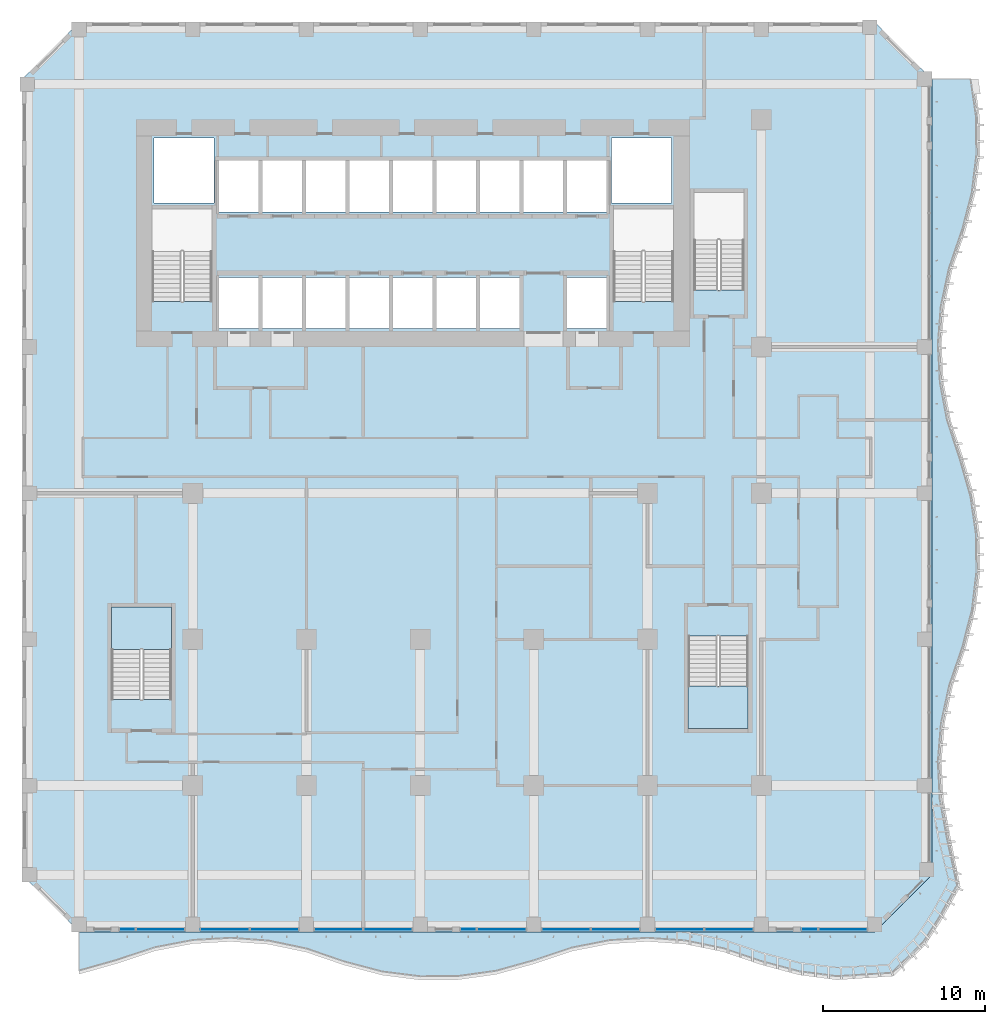
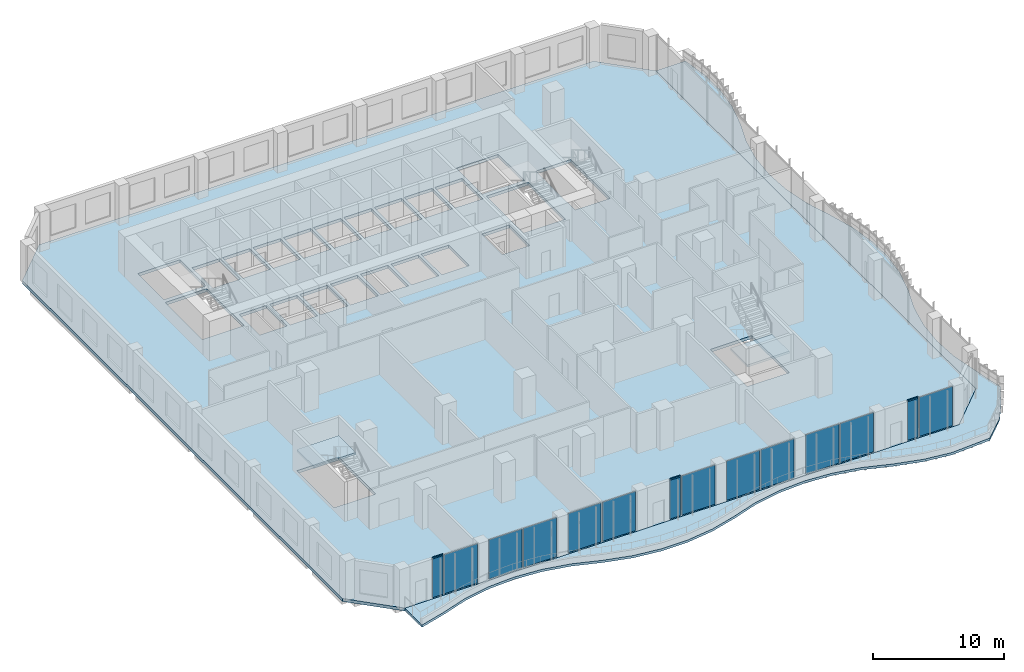
# One storey, part 11 of 28: 14 plates, 4 slabs, 3 members, 16 elements without a shape of their own.
"""IFC4 building model written with IfcOpenShell, lengths in metres."""

from ifc_helpers import new_model, si_unit, direction, frame, origin, origin_2d, place, context, subcontext, project, spatial, polyline, rectangle, outline, extrude, source, transform, mapped, material, layer, layer_set, material_profile, profile_set, type_object, element, aggregate, save


model = new_model("IFC4")

# Units and contexts
model_context = context("Model", 3, precision=1e-05, world=origin(), true_north=direction((0.0, 1.0)))
body_context = subcontext(model_context, "Body", "Model", "MODEL_VIEW")
ifc_project = project(units=[si_unit("LENGTHUNIT", "METRE"), si_unit("AREAUNIT", "SQUARE_METRE"), si_unit("VOLUMEUNIT", "CUBIC_METRE"), si_unit("PLANEANGLEUNIT", "RADIAN"), si_unit("MASSUNIT", "GRAM", prefix="KILO")], contexts=[model_context])

# Site, building, storey
site_placement = place(None, origin())
site = spatial("IfcSite", under=ifc_project, at=site_placement, CompositionType="ELEMENT")
building_placement = place(site_placement, origin())
building = spatial("IfcBuilding", under=site, at=building_placement, Name="Kilnfold Tower and Market Hall", CompositionType="ELEMENT")
storey_placement = place(building_placement, frame((0.0, 0.0, 87.199951171875)))
storey = spatial("IfcBuildingStorey", under=building, at=storey_placement, Name="L20", CompositionType="ELEMENT", Elevation=87.199951171875)

# Curtain wall, member
ifc_material_1 = material(Name="Aluminium and double glazing", Category="aluminium")
curtain_wall_type = type_object("IfcCurtainWallType", Name="CW OF1 VALLEY GLAZING", PredefinedType="NOTDEFINED", material=ifc_material_1)
curtain_wall_1_placement = place(storey_placement, origin())
curtain_wall_1 = element("IfcCurtainWall", 1, at=curtain_wall_1_placement, inside=storey, type_object=curtain_wall_type, Name="Curtain wall CW1 L20 S", PredefinedType="NOTDEFINED")
ifc_material_2 = material(Name="Aluminium", Category="aluminium")
ifc_material_profile = material_profile(ifc_material_2, rectangle(XDim=0.06005859375, YDim=0.139892578125, at=origin_2d()), Name="TRANSOM 60x140")
ifc_profile_set = profile_set([ifc_material_profile], Name="Aluminium")
member_type = type_object("IfcMemberType", Name="TRANSOM 60X140", PredefinedType="USERDEFINED", material=ifc_profile_set)
shared_shape_1 = source(origin(), body_context, "Body", "SweptSolid", [
    extrude(rectangle(XDim=0.06005859375, YDim=0.139892578125, at=origin_2d()), origin(), (0.0, 0.0, 1.0), 0.929931640625),
])
member_1_placement = place(storey_placement, frame((-16.989990234375, -27.85009765625, 3.68994140625), z_axis=(1.0, 0.0, 0.0), x_axis=(0.0, 1.0, 0.0)))
member_1 = element("IfcMember", 2, at=member_1_placement, type_object=member_type, Name="CW1 transom 1.2", ObjectType="TRANSOM", PredefinedType="USERDEFINED", context=body_context, shape_type="MappedRepresentation", body=[
    mapped(shared_shape_1, transform((0.0, 0.0, 0.0))),
])

curtain_wall_2_placement = place(storey_placement, origin())
curtain_wall_2 = element("IfcCurtainWall", 3, at=curtain_wall_2_placement, inside=storey, type_object=curtain_wall_type, Name="Curtain wall CW1 L20 S", PredefinedType="NOTDEFINED")
member_2_placement = place(storey_placement, frame((4.010009765625, -27.85009765625, 3.68994140625), z_axis=(1.0, 0.0, 0.0), x_axis=(0.0, 1.0, 0.0)))
member_2 = element("IfcMember", 4, at=member_2_placement, type_object=member_type, Name="CW1 transom 1.2", ObjectType="TRANSOM", PredefinedType="USERDEFINED", context=body_context, shape_type="MappedRepresentation", body=[
    mapped(shared_shape_1, transform((0.0, 0.0, 0.0))),
])

curtain_wall_3_placement = place(storey_placement, origin())
curtain_wall_3 = element("IfcCurtainWall", 5, at=curtain_wall_3_placement, inside=storey, type_object=curtain_wall_type, Name="Curtain wall CW1 L20 S", PredefinedType="NOTDEFINED")
member_3_placement = place(storey_placement, frame((25.010009765625, -27.85009765625, 3.68994140625), z_axis=(1.0, 0.0, 0.0), x_axis=(0.0, 1.0, 0.0)))
member_3 = element("IfcMember", 6, at=member_3_placement, type_object=member_type, Name="CW1 transom 1.2", ObjectType="TRANSOM", PredefinedType="USERDEFINED", context=body_context, shape_type="MappedRepresentation", body=[
    mapped(shared_shape_1, transform((0.0, 0.0, 0.0))),
])

# Slab
ifc_material_3 = material(Name="Concrete C45", Category="concrete")
ifc_layer_1 = layer(ifc_material_3, 0.280029296875)
ifc_layer_set_1 = layer_set([ifc_layer_1], Name="Concrete C45")
slab_type_1 = type_object("IfcSlabType", Name="FLOOR SLAB 280", PredefinedType="FLOOR", material=ifc_layer_set_1)
shared_shape_2 = source(origin(), body_context, "Body", "SweptSolid", [
    extrude(outline(polyline([(-19.5, -28.0), (29.5, -28.0), (33.0, -24.5), (33.0, 24.5), (29.5, 28.0), (-19.5, 28.0), (-23.0, 24.5), (-23.0, -24.5), (-19.5, -28.0)]), holes=[polyline([(-13.800537109375, -13.699462890625), (-17.49951171875, -13.699462890625), (-17.49951171875, -8.00048828125), (-13.800537109375, -8.00048828125), (-13.800537109375, -13.699462890625)]), polyline([(-14.99951171875, 10.800537109375), (-14.99951171875, 16.49951171875), (-11.300537109375, 16.49951171875), (-11.300537109375, 10.800537109375), (-14.99951171875, 10.800537109375)]), polyline([(-14.875, 16.875), (-14.875, 20.875), (-11.175048828125, 20.875), (-11.175048828125, 16.875), (-14.875, 16.875)]), polyline([(-10.885009765625, 9.125), (-10.885009765625, 12.27490234375), (-8.455078125, 12.27490234375), (-8.455078125, 9.125), (-10.885009765625, 9.125)]), polyline([(-8.455078125, 16.324951171875), (-10.885009765625, 16.324951171875), (-10.885009765625, 19.47509765625), (-8.455078125, 19.47509765625), (-8.455078125, 16.324951171875)]), polyline([(-8.205078125, 9.125), (-8.205078125, 12.27490234375), (-5.77490234375, 12.27490234375), (-5.77490234375, 9.125), (-8.205078125, 9.125)]), polyline([(-8.205078125, 16.324951171875), (-8.205078125, 19.47509765625), (-5.77490234375, 19.47509765625), (-5.77490234375, 16.324951171875), (-8.205078125, 16.324951171875)]), polyline([(-3.094970703125, 9.125), (-5.52490234375, 9.125), (-5.52490234375, 12.27490234375), (-3.094970703125, 12.27490234375), (-3.094970703125, 9.125)]), polyline([(-5.52490234375, 16.324951171875), (-5.52490234375, 19.47509765625), (-3.094970703125, 19.47509765625), (-3.094970703125, 16.324951171875), (-5.52490234375, 16.324951171875)]), polyline([(-2.844970703125, 9.125), (-2.844970703125, 12.27490234375), (-0.4150390625, 12.27490234375), (-0.4150390625, 9.125), (-2.844970703125, 9.125)]), polyline([(-0.4150390625, 16.324951171875), (-2.844970703125, 16.324951171875), (-2.844970703125, 19.47509765625), (-0.4150390625, 19.47509765625), (-0.4150390625, 16.324951171875)]), polyline([(-0.1650390625, 9.125), (-0.1650390625, 12.27490234375), (2.264892578125, 12.27490234375), (2.264892578125, 9.125), (-0.1650390625, 9.125)]), polyline([(-0.1650390625, 16.324951171875), (-0.1650390625, 19.47509765625), (2.264892578125, 19.47509765625), (2.264892578125, 16.324951171875), (-0.1650390625, 16.324951171875)]), polyline([(2.514892578125, 9.125), (2.514892578125, 12.27490234375), (4.945068359375, 12.27490234375), (4.945068359375, 9.125), (2.514892578125, 9.125)]), polyline([(2.514892578125, 16.324951171875), (2.514892578125, 19.47509765625), (4.945068359375, 19.47509765625), (4.945068359375, 16.324951171875), (2.514892578125, 16.324951171875)]), polyline([(7.625, 9.125), (5.195068359375, 9.125), (5.195068359375, 12.27490234375), (7.625, 12.27490234375), (7.625, 9.125)]), polyline([(5.195068359375, 16.324951171875), (5.195068359375, 19.47509765625), (7.625, 19.47509765625), (7.625, 16.324951171875), (5.195068359375, 16.324951171875)]), polyline([(10.304931640625, 16.324951171875), (7.875, 16.324951171875), (7.875, 19.47509765625), (10.304931640625, 19.47509765625), (10.304931640625, 16.324951171875)]), polyline([(10.554931640625, 9.125), (10.554931640625, 12.27490234375), (12.985107421875, 12.27490234375), (12.985107421875, 9.125), (10.554931640625, 9.125)]), polyline([(10.554931640625, 16.324951171875), (10.554931640625, 19.47509765625), (12.985107421875, 19.47509765625), (12.985107421875, 16.324951171875), (10.554931640625, 16.324951171875)]), polyline([(13.27490234375, 16.875), (13.27490234375, 20.875), (16.97509765625, 20.875), (16.97509765625, 16.875), (13.27490234375, 16.875)]), polyline([(13.400390625, 10.800537109375), (13.400390625, 16.49951171875), (17.099609375, 16.49951171875), (17.099609375, 10.800537109375), (13.400390625, 10.800537109375)]), polyline([(18.00048828125, -9.800537109375), (21.699462890625, -9.800537109375), (21.699462890625, -15.49951171875), (18.00048828125, -15.49951171875), (18.00048828125, -9.800537109375)]), polyline([(21.449462890625, 11.50048828125), (18.3505859375, 11.50048828125), (18.3505859375, 17.49951171875), (21.449462890625, 17.49951171875), (21.449462890625, 11.50048828125)])]), origin(), (0.0, 0.0, 1.0), 0.280029296875),
])
slab_1_placement = place(storey_placement, frame((0.0, 0.0, -0.280029296875)))
element("IfcSlab", 7, at=slab_1_placement, inside=storey, type_object=slab_type_1, Name="Floor slab L20", PredefinedType="FLOOR", context=body_context, shape_type="MappedRepresentation", body=[
    mapped(shared_shape_2, transform((0.0, 0.0, 0.0))),
])

# Plate
ifc_material_4 = material(Name="Double glazed unit")
ifc_layer_2 = layer(ifc_material_4, 0.031982421875)
ifc_layer_set_2 = layer_set([ifc_layer_2], Name="Double glazed unit")
plate_type = type_object("IfcPlateType", Name="GLAZING PANEL 32", PredefinedType="CURTAIN_PANEL", material=ifc_layer_set_2)
shared_shape_3 = source(origin(), body_context, "Body", "SweptSolid", [
    extrude(rectangle(XDim=0.929931640625, YDim=0.031982421875, at=origin_2d()), origin(), (0.0, 0.0, 1.0), 3.659912109375),
])
plate_1_placement = place(storey_placement, frame((-16.52490234375, -27.85009765625, 0.0), z_axis=(0.0, 0.0, 1.0), x_axis=(1.0, 0.0, 0.0)))
plate_1 = element("IfcPlate", 8, at=plate_1_placement, type_object=plate_type, Name="CW1 panel 1.1", PredefinedType="CURTAIN_PANEL", context=body_context, shape_type="MappedRepresentation", body=[
    mapped(shared_shape_3, transform((0.0, 0.0, 0.0))),
])

aggregate(curtain_wall_1, [member_1, plate_1])

plate_2_placement = place(storey_placement, frame((4.47509765625, -27.85009765625, 0.0), z_axis=(0.0, 0.0, 1.0), x_axis=(1.0, 0.0, 0.0)))
plate_2 = element("IfcPlate", 9, at=plate_2_placement, type_object=plate_type, Name="CW1 panel 1.1", PredefinedType="CURTAIN_PANEL", context=body_context, shape_type="MappedRepresentation", body=[
    mapped(shared_shape_3, transform((0.0, 0.0, 0.0))),
])

aggregate(curtain_wall_2, [member_2, plate_2])

plate_3_placement = place(storey_placement, frame((25.47509765625, -27.85009765625, 0.0), z_axis=(0.0, 0.0, 1.0), x_axis=(1.0, 0.0, 0.0)))
plate_3 = element("IfcPlate", 10, at=plate_3_placement, type_object=plate_type, Name="CW1 panel 1.1", PredefinedType="CURTAIN_PANEL", context=body_context, shape_type="MappedRepresentation", body=[
    mapped(shared_shape_3, transform((0.0, 0.0, 0.0))),
])

aggregate(curtain_wall_3, [member_3, plate_3])

# Curtain wall, plate
curtain_wall_4_placement = place(storey_placement, origin())
curtain_wall_4 = element("IfcCurtainWall", 11, at=curtain_wall_4_placement, inside=storey, type_object=curtain_wall_type, Name="Curtain wall CW1 L20 S", PredefinedType="NOTDEFINED")
shared_shape_4 = source(origin(), body_context, "Body", "SweptSolid", [
    extrude(rectangle(XDim=2.929931640625, YDim=0.031982421875, at=origin_2d()), origin(), (0.0, 0.0, 1.0), 3.659912109375),
])
plate_4_placement = place(storey_placement, frame((-14.47509765625, -27.85009765625, 0.0), z_axis=(0.0, 0.0, 1.0), x_axis=(1.0, 0.0, 0.0)))
plate_4 = element("IfcPlate", 12, at=plate_4_placement, type_object=plate_type, Name="CW1 panel 1.1", PredefinedType="CURTAIN_PANEL", context=body_context, shape_type="MappedRepresentation", body=[
    mapped(shared_shape_4, transform((0.0, 0.0, 0.0))),
])
aggregate(curtain_wall_4, [plate_4])

curtain_wall_5_placement = place(storey_placement, origin())
curtain_wall_5 = element("IfcCurtainWall", 13, at=curtain_wall_5_placement, inside=storey, type_object=curtain_wall_type, Name="Curtain wall CW1 L20 S", PredefinedType="NOTDEFINED")
plate_5_placement = place(storey_placement, frame((-10.52490234375, -27.85009765625, 0.0), z_axis=(0.0, 0.0, 1.0), x_axis=(1.0, 0.0, 0.0)))
plate_5 = element("IfcPlate", 14, at=plate_5_placement, type_object=plate_type, Name="CW1 panel 1.1", PredefinedType="CURTAIN_PANEL", context=body_context, shape_type="MappedRepresentation", body=[
    mapped(shared_shape_4, transform((0.0, 0.0, 0.0))),
])
aggregate(curtain_wall_5, [plate_5])

curtain_wall_6_placement = place(storey_placement, origin())
curtain_wall_6 = element("IfcCurtainWall", 15, at=curtain_wall_6_placement, inside=storey, type_object=curtain_wall_type, Name="Curtain wall CW1 L20 S", PredefinedType="NOTDEFINED")
plate_6_placement = place(storey_placement, frame((-7.47509765625, -27.85009765625, 0.0), z_axis=(0.0, 0.0, 1.0), x_axis=(1.0, 0.0, 0.0)))
plate_6 = element("IfcPlate", 16, at=plate_6_placement, type_object=plate_type, Name="CW1 panel 1.1", PredefinedType="CURTAIN_PANEL", context=body_context, shape_type="MappedRepresentation", body=[
    mapped(shared_shape_4, transform((0.0, 0.0, 0.0))),
])
aggregate(curtain_wall_6, [plate_6])

curtain_wall_7_placement = place(storey_placement, origin())
curtain_wall_7 = element("IfcCurtainWall", 17, at=curtain_wall_7_placement, inside=storey, type_object=curtain_wall_type, Name="Curtain wall CW1 L20 S", PredefinedType="NOTDEFINED")
plate_7_placement = place(storey_placement, frame((-3.52490234375, -27.85009765625, 0.0), z_axis=(0.0, 0.0, 1.0), x_axis=(1.0, 0.0, 0.0)))
plate_7 = element("IfcPlate", 18, at=plate_7_placement, type_object=plate_type, Name="CW1 panel 1.1", PredefinedType="CURTAIN_PANEL", context=body_context, shape_type="MappedRepresentation", body=[
    mapped(shared_shape_4, transform((0.0, 0.0, 0.0))),
])
aggregate(curtain_wall_7, [plate_7])

curtain_wall_8_placement = place(storey_placement, origin())
curtain_wall_8 = element("IfcCurtainWall", 19, at=curtain_wall_8_placement, inside=storey, type_object=curtain_wall_type, Name="Curtain wall CW1 L20 S", PredefinedType="NOTDEFINED")
plate_8_placement = place(storey_placement, frame((-0.47509765625, -27.85009765625, 0.0), z_axis=(0.0, 0.0, 1.0), x_axis=(1.0, 0.0, 0.0)))
plate_8 = element("IfcPlate", 20, at=plate_8_placement, type_object=plate_type, Name="CW1 panel 1.1", PredefinedType="CURTAIN_PANEL", context=body_context, shape_type="MappedRepresentation", body=[
    mapped(shared_shape_4, transform((0.0, 0.0, 0.0))),
])
aggregate(curtain_wall_8, [plate_8])

curtain_wall_9_placement = place(storey_placement, origin())
curtain_wall_9 = element("IfcCurtainWall", 21, at=curtain_wall_9_placement, inside=storey, type_object=curtain_wall_type, Name="Curtain wall CW1 L20 S", PredefinedType="NOTDEFINED")
plate_9_placement = place(storey_placement, frame((6.52490234375, -27.85009765625, 0.0), z_axis=(0.0, 0.0, 1.0), x_axis=(1.0, 0.0, 0.0)))
plate_9 = element("IfcPlate", 22, at=plate_9_placement, type_object=plate_type, Name="CW1 panel 1.1", PredefinedType="CURTAIN_PANEL", context=body_context, shape_type="MappedRepresentation", body=[
    mapped(shared_shape_4, transform((0.0, 0.0, 0.0))),
])
aggregate(curtain_wall_9, [plate_9])

curtain_wall_10_placement = place(storey_placement, origin())
curtain_wall_10 = element("IfcCurtainWall", 23, at=curtain_wall_10_placement, inside=storey, type_object=curtain_wall_type, Name="Curtain wall CW1 L20 S", PredefinedType="NOTDEFINED")
plate_10_placement = place(storey_placement, frame((10.47509765625, -27.85009765625, 0.0), z_axis=(0.0, 0.0, 1.0), x_axis=(1.0, 0.0, 0.0)))
plate_10 = element("IfcPlate", 24, at=plate_10_placement, type_object=plate_type, Name="CW1 panel 1.1", PredefinedType="CURTAIN_PANEL", context=body_context, shape_type="MappedRepresentation", body=[
    mapped(shared_shape_4, transform((0.0, 0.0, 0.0))),
])
aggregate(curtain_wall_10, [plate_10])

curtain_wall_11_placement = place(storey_placement, origin())
curtain_wall_11 = element("IfcCurtainWall", 25, at=curtain_wall_11_placement, inside=storey, type_object=curtain_wall_type, Name="Curtain wall CW1 L20 S", PredefinedType="NOTDEFINED")
plate_11_placement = place(storey_placement, frame((13.52490234375, -27.85009765625, 0.0), z_axis=(0.0, 0.0, 1.0), x_axis=(1.0, 0.0, 0.0)))
plate_11 = element("IfcPlate", 26, at=plate_11_placement, type_object=plate_type, Name="CW1 panel 1.1", PredefinedType="CURTAIN_PANEL", context=body_context, shape_type="MappedRepresentation", body=[
    mapped(shared_shape_4, transform((0.0, 0.0, 0.0))),
])
aggregate(curtain_wall_11, [plate_11])

curtain_wall_12_placement = place(storey_placement, origin())
curtain_wall_12 = element("IfcCurtainWall", 27, at=curtain_wall_12_placement, inside=storey, type_object=curtain_wall_type, Name="Curtain wall CW1 L20 S", PredefinedType="NOTDEFINED")
plate_12_placement = place(storey_placement, frame((17.47509765625, -27.85009765625, 0.0), z_axis=(0.0, 0.0, 1.0), x_axis=(1.0, 0.0, 0.0)))
plate_12 = element("IfcPlate", 28, at=plate_12_placement, type_object=plate_type, Name="CW1 panel 1.1", PredefinedType="CURTAIN_PANEL", context=body_context, shape_type="MappedRepresentation", body=[
    mapped(shared_shape_4, transform((0.0, 0.0, 0.0))),
])
aggregate(curtain_wall_12, [plate_12])

curtain_wall_13_placement = place(storey_placement, origin())
curtain_wall_13 = element("IfcCurtainWall", 29, at=curtain_wall_13_placement, inside=storey, type_object=curtain_wall_type, Name="Curtain wall CW1 L20 S", PredefinedType="NOTDEFINED")
plate_13_placement = place(storey_placement, frame((20.52490234375, -27.85009765625, 0.0), z_axis=(0.0, 0.0, 1.0), x_axis=(1.0, 0.0, 0.0)))
plate_13 = element("IfcPlate", 30, at=plate_13_placement, type_object=plate_type, Name="CW1 panel 1.1", PredefinedType="CURTAIN_PANEL", context=body_context, shape_type="MappedRepresentation", body=[
    mapped(shared_shape_4, transform((0.0, 0.0, 0.0))),
])
aggregate(curtain_wall_13, [plate_13])

curtain_wall_14_placement = place(storey_placement, origin())
curtain_wall_14 = element("IfcCurtainWall", 31, at=curtain_wall_14_placement, inside=storey, type_object=curtain_wall_type, Name="Curtain wall CW1 L20 S", PredefinedType="NOTDEFINED")
plate_14_placement = place(storey_placement, frame((27.52490234375, -27.85009765625, 0.0), z_axis=(0.0, 0.0, 1.0), x_axis=(1.0, 0.0, 0.0)))
plate_14 = element("IfcPlate", 32, at=plate_14_placement, type_object=plate_type, Name="CW1 panel 1.1", PredefinedType="CURTAIN_PANEL", context=body_context, shape_type="MappedRepresentation", body=[
    mapped(shared_shape_4, transform((0.0, 0.0, 0.0))),
])
aggregate(curtain_wall_14, [plate_14])

# Slab
ifc_material_5 = material(Name="Concrete C40/50", Category="concrete")
ifc_layer_3 = layer(ifc_material_5, 0.219970703125)
ifc_layer_set_3 = layer_set([ifc_layer_3], Name="Concrete C40/50")
slab_type_2 = type_object("IfcSlabType", Name="BALCONY SLAB 220", PredefinedType="FLOOR", material=ifc_layer_set_3)
shared_shape_5 = source(origin(), body_context, "Body", "SweptSolid", [
    extrude(outline(polyline([(-19.5, -28.0), (29.5, -28.0), (33.0, -24.5), (33.0, 24.5), (35.6171875, 24.5), (35.949462890625, 22.166748046875), (35.972412109375, 19.833251953125), (35.68798828125, 17.5), (35.080078125, 15.166748046875), (34.27978515625, 12.833251953125), (33.782470703125, 10.5), (33.601318359375, 8.166748046875), (33.7265625, 5.833251953125), (34.164794921875, 3.5), (34.932373046875, 1.166748046875), (35.602294921875, -1.166748046875), (35.94384765625, -3.5), (35.976318359375, -5.833251953125), (35.701171875, -8.166748046875), (35.103515625, -10.5), (34.2998046875, -12.833251953125), (33.792724609375, -15.166748046875), (33.602294921875, -17.5), (33.71826171875, -19.833251953125), (34.146728515625, -22.166748046875), (34.761474609375, -25.2294921875), (33.546630859375, -27.3798828125), (32.6259765625, -28.79248046875), (30.632568359375, -30.734130859375), (27.166748046875, -30.964111328125), (24.833251953125, -30.660400390625), (22.5, -30.031982421875), (20.166748046875, -29.239990234375), (17.833251953125, -28.7626953125), (15.5, -28.60009765625), (13.166748046875, -28.743896484375), (10.833251953125, -29.201904296875), (8.5, -29.98291015625), (6.166748046875, -30.632080078125), (3.833251953125, -30.95458984375), (1.5, -30.968505859375), (-0.833251953125, -30.67431640625), (-3.166748046875, -30.05615234375), (-5.5, -29.259765625), (-7.833251953125, -28.7724609375), (-10.166748046875, -28.6005859375), (-12.5, -28.735107421875), (-14.833251953125, -29.18310546875), (-17.166748046875, -29.957763671875), (-19.5, -30.6171875), (-19.5, -28.0)])), origin(), (0.0, 0.0, 1.0), 0.219970703125),
])
slab_2_placement = place(storey_placement, frame((0.0, 0.0, -0.219970703125)))
element("IfcSlab", 33, at=slab_2_placement, inside=storey, type_object=slab_type_2, Name="Balcony slab L20", PredefinedType="FLOOR", context=body_context, shape_type="MappedRepresentation", body=[
    mapped(shared_shape_5, transform((0.0, 0.0, 0.0))),
])

# Stair, slab
ifc_material_6 = material(Name="Concrete C40/50", Category="concrete")
stair_type = type_object("IfcStairType", Name="CORE STAIR 1800", PredefinedType="HALF_TURN_STAIR", material=ifc_material_6)
stair_1_placement = place(storey_placement, origin())
stair_1 = element("IfcStair", 34, at=stair_1_placement, inside=storey, type_object=stair_type, Name="L20 ST3", PredefinedType="HALF_TURN_STAIR")
ifc_material_7 = material(Name="Concrete C40/50", Category="concrete")
ifc_layer_4 = layer(ifc_material_7, 0.199951171875)
ifc_layer_set_4 = layer_set([ifc_layer_4], Name="Concrete C40/50")
slab_type_3 = type_object("IfcSlabType", Name="CORE STAIR LANDING 200", PredefinedType="LANDING", material=ifc_layer_set_4)
shared_shape_6 = source(origin(), body_context, "Body", "SweptSolid", [
    extrude(outline(polyline([(-13.800048828125, -10.6201171875), (-13.800048828125, -8.0), (-17.5, -8.0), (-17.5, -10.6201171875), (-13.800048828125, -10.6201171875)])), origin(), (0.0, 0.0, 1.0), 0.199951171875),
])
slab_3_placement = place(storey_placement, frame((0.0, 0.0, 1.800048828125)))
slab_3 = element("IfcSlab", 35, at=slab_3_placement, type_object=slab_type_3, Name="ST3 landing 1", PredefinedType="LANDING", context=body_context, shape_type="MappedRepresentation", body=[
    mapped(shared_shape_6, transform((0.0, 0.0, 0.0))),
])
aggregate(stair_1, [slab_3])

stair_2_placement = place(storey_placement, origin())
stair_2 = element("IfcStair", 36, at=stair_2_placement, inside=storey, type_object=stair_type, Name="L20 ST4", PredefinedType="HALF_TURN_STAIR")
shared_shape_7 = source(origin(), body_context, "Body", "SweptSolid", [
    extrude(outline(polyline([(18.0, -12.8798828125), (18.0, -15.5), (21.699951171875, -15.5), (21.699951171875, -12.8798828125), (18.0, -12.8798828125)])), origin(), (0.0, 0.0, 1.0), 0.199951171875),
])
slab_4_placement = place(storey_placement, frame((0.0, 0.0, 1.800048828125)))
slab_4 = element("IfcSlab", 37, at=slab_4_placement, type_object=slab_type_3, Name="ST4 landing 1", PredefinedType="LANDING", context=body_context, shape_type="MappedRepresentation", body=[
    mapped(shared_shape_7, transform((0.0, 0.0, 0.0))),
])
aggregate(stair_2, [slab_4])

save(model, "model.ifc")
